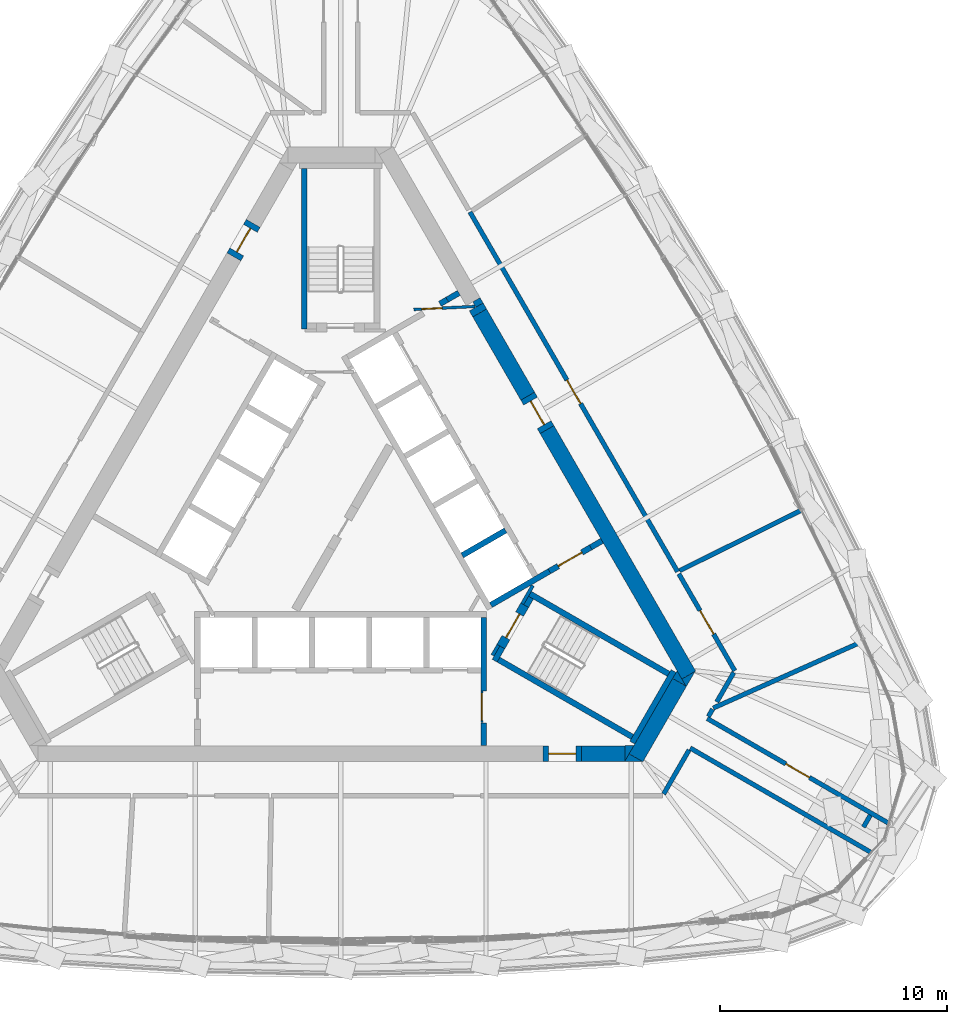
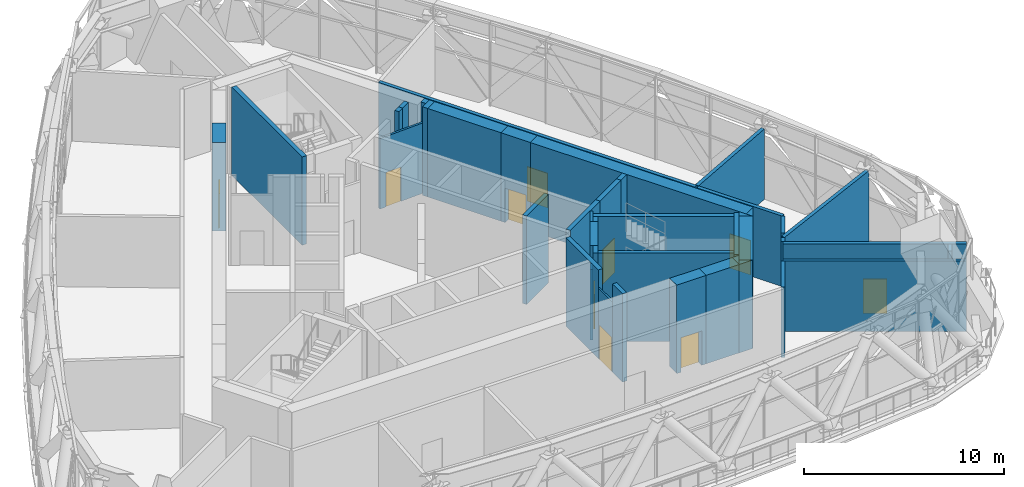
# One storey, part 22 of 33: 42 walls, 10 doors, 10 openings.
"""IFC4 building model written with IfcOpenShell, lengths in metres."""

from ifc_helpers import new_model, si_unit, direction, frame, frame_2d, origin, place, context, subcontext, project, spatial, polyline, rectangle, outline, extrude, material, layer, layer_set, type_object, element, fill, save


model = new_model("IFC4")

# Units and contexts
model_context = context("Model", 3, precision=1e-05, world=origin(), true_north=direction((0.0, 1.0)))
body_context = subcontext(model_context, "Body", "Model", "MODEL_VIEW")
ifc_project = project(units=[si_unit("LENGTHUNIT", "METRE"), si_unit("AREAUNIT", "SQUARE_METRE"), si_unit("VOLUMEUNIT", "CUBIC_METRE"), si_unit("PLANEANGLEUNIT", "RADIAN"), si_unit("MASSUNIT", "GRAM", prefix="KILO")], contexts=[model_context])

# Site, building, storey
site_placement = place(None, origin())
site = spatial("IfcSite", under=ifc_project, at=site_placement, CompositionType="ELEMENT")
building_placement = place(site_placement, origin())
building = spatial("IfcBuilding", under=site, at=building_placement, Name="Mestral Congress Tower", CompositionType="ELEMENT")
storey_placement = place(building_placement, frame((0.0, 0.0, 256.199951171875)))
storey = spatial("IfcBuildingStorey", under=building, at=storey_placement, Name="L60", CompositionType="ELEMENT", Elevation=256.199951171875)

# Wall
ifc_material_1 = material(Name="Fire-rated board partition")
ifc_layer_1 = layer(ifc_material_1, 0.14990234375)
ifc_layer_set_1 = layer_set([ifc_layer_1], Name="Fire-rated board partition")
wall_type_1 = type_object("IfcWallType", Name="Core partition 150", PredefinedType="PARTITIONING", material=ifc_layer_set_1)
wall_1_placement = place(storey_placement, frame((6.94482421875, -5.22216796875, 0.0), z_axis=(0.0, 0.0, 1.0), x_axis=(-0.499818422106, -0.866130212453, 0.0)))
element("IfcWall", 1, at=wall_1_placement, inside=storey, type_object=wall_type_1, Name="L60 core wall", PredefinedType="PARTITIONING", context=body_context, shape_type="SweptSolid", body=[
    extrude(rectangle(XDim=0.513916015625, YDim=0.14990234375, at=frame_2d((0.2568359375, 0.0))), origin(), (0.0, 0.0, 1.0), 4.300048828125),
])

# Wall, opening, door
ifc_layer_2 = layer(ifc_material_1, 0.1201171875)
ifc_layer_set_2 = layer_set([ifc_layer_2], Name="Fire-rated board partition")
wall_type_2 = type_object("IfcWallType", Name="Core partition 150 door-wall 120", PredefinedType="PARTITIONING", material=ifc_layer_set_2)
wall_2_placement = place(storey_placement, frame((5.917236328125, 9.684326171875, 0.0), z_axis=(0.0, 0.0, 1.0), x_axis=(-0.998758194515, -0.049820366212, 0.0)))
wall_2 = element("IfcWall", 2, at=wall_2_placement, inside=storey, type_object=wall_type_2, Name="L60 door wall", PredefinedType="PARTITIONING", context=body_context, shape_type="SweptSolid", body=[
    extrude(rectangle(XDim=2.7001953125, YDim=0.119873046875, at=frame_2d((1.35009765625, 0.0))), origin(), (0.0, 0.0, 1.0), 4.300048828125),
])
opening_1_placement = place(wall_2_placement, frame((1.449951171875, 0.0, 0.0)))
opening_1 = element("IfcOpeningElement", 3, at=opening_1_placement, cuts=wall_2, Name="Opening TD2", PredefinedType="OPENING", context=body_context, shape_type="SweptSolid", body=[
    extrude(rectangle(XDim=0.89990234375, YDim=2.10009765625, at=frame_2d((0.449951171875, 1.050048828125))), frame((0.0, 0.06982421875, 0.0), z_axis=(0.0, -1.0, 0.0), x_axis=(1.0, 0.0, 0.0)), (0.0, 0.0, 1.0), 0.139892578125),
])
ifc_material_2 = material(Name="Fire-rated steel door set", Category="steel")
door_type_1 = type_object("IfcDoorType", Name="Core door SR 900x2100", OperationType="SINGLE_SWING_LEFT", PredefinedType="DOOR", material=ifc_material_2)
door_1_placement = place(opening_1_placement, origin())
door_1 = element("IfcDoor", 4, at=door_1_placement, inside=storey, type_object=door_type_1, Name="Door TD2", OperationType="SINGLE_SWING_LEFT", OverallHeight=2.10009765625, OverallWidth=0.89990234375, PredefinedType="DOOR", context=body_context, shape_type="SweptSolid", body=[
    extrude(rectangle(XDim=0.89990234375, YDim=2.10009765625, at=frame_2d((0.449951171875, 1.050048828125))), frame((0.0, 0.02490234375, 0.0), z_axis=(0.0, -1.0, 0.0), x_axis=(1.0, 0.0, 0.0)), (0.0, 0.0, 1.0), 0.050048828125),
])
fill(opening_1, door_1)

ifc_layer_3 = layer(ifc_material_1, 0.090087890625)
ifc_layer_set_3 = layer_set([ifc_layer_3], Name="Fire-rated board partition")
wall_type_3 = type_object("IfcWallType", Name="Core partition 150 door-wall 90", PredefinedType="PARTITIONING", material=ifc_layer_set_3)
wall_3_placement = place(storey_placement, frame((6.219970703125, -7.23681640625, 0.0), z_axis=(0.0, 0.0, 1.0), x_axis=(0.0, -1.0, 0.0)))
wall_3 = element("IfcWall", 5, at=wall_3_placement, inside=storey, type_object=wall_type_3, Name="L60 door wall", PredefinedType="PARTITIONING", context=body_context, shape_type="SweptSolid", body=[
    extrude(rectangle(XDim=1.400146484375, YDim=0.090087890625, at=frame_2d((0.7001953125, 0.0))), origin(), (0.0, 0.0, 1.0), 4.300048828125),
])
opening_2_placement = place(wall_3_placement, frame((0.10009765625, 0.0, 0.0)))
opening_2 = element("IfcOpeningElement", 6, at=opening_2_placement, cuts=wall_3, Name="Opening LB0-WL1", PredefinedType="OPENING", context=body_context, shape_type="SweptSolid", body=[
    extrude(rectangle(XDim=1.199951171875, YDim=2.10009765625, at=frame_2d((0.60009765625, 1.050048828125))), frame((0.0, 0.054931640625, 0.0), z_axis=(0.0, -1.0, 0.0), x_axis=(1.0, 0.0, 0.0)), (0.0, 0.0, 1.0), 0.110107421875),
])
door_type_2 = type_object("IfcDoorType", Name="Core door LB 1200x2100", OperationType="SINGLE_SWING_LEFT", PredefinedType="DOOR", material=ifc_material_2)
door_2_placement = place(opening_2_placement, origin())
door_2 = element("IfcDoor", 7, at=door_2_placement, inside=storey, type_object=door_type_2, Name="Door LB0-WL1", OperationType="SINGLE_SWING_LEFT", OverallHeight=2.10009765625, OverallWidth=1.199951171875, PredefinedType="DOOR", context=body_context, shape_type="SweptSolid", body=[
    extrude(rectangle(XDim=1.199951171875, YDim=2.10009765625, at=frame_2d((0.60009765625, 1.050048828125))), frame((0.0, 0.02490234375, 0.0), z_axis=(0.0, -1.0, 0.0), x_axis=(1.0, 0.0, 0.0)), (0.0, 0.0, 1.0), 0.050048828125),
])
fill(opening_2, door_2)

# Walls
ifc_material_3 = material(Name="Concrete C60/75", Category="concrete")
ifc_layer_4 = layer(ifc_material_3, 0.699951171875)
ifc_layer_set_4 = layer_set([ifc_layer_4], Name="Concrete C60/75")
wall_type_4 = type_object("IfcWallType", Name="Core wall RC 700", PredefinedType="SOLIDWALL", material=ifc_layer_set_4)
wall_4_placement = place(storey_placement, frame((9.085205078125, 4.263916015625, 0.0), z_axis=(0.0, 0.0, 1.0), x_axis=(0.499998082512, -0.866026510844, 0.0)))
element("IfcWall", 8, at=wall_4_placement, inside=storey, type_object=wall_type_4, Name="L60 core wall", PredefinedType="SOLIDWALL", context=body_context, shape_type="SweptSolid", body=[
    extrude(rectangle(XDim=12.47216796875, YDim=0.699951171875, at=frame_2d((6.236083984375, 0.0))), origin(), (0.0, 0.0, 1.0), 5.400146484375),
])
placement = place(storey_placement, origin())
element("IfcWall", 9, at=placement, inside=storey, type_object=wall_type_4, Name="L60 core wall", PredefinedType="SOLIDWALL", context=body_context, shape_type="SweptSolid", body=[
    extrude(outline(polyline([(15.213134765625, -7.050048828125), (15.019287109375, -6.714111328125), (15.60107421875, -6.3779296875), (15.213134765625, -7.050048828125)])), origin(), (0.0, 0.0, 1.0), 5.400146484375),
])
wall_6_placement = place(storey_placement, frame((13.002685546875, -10.1787109375, 0.0), z_axis=(0.0, 0.0, 1.0), x_axis=(0.499972675833, 0.866041178825, 0.0)))
element("IfcWall", 10, at=wall_6_placement, inside=storey, type_object=wall_type_4, Name="L60 core wall", PredefinedType="SOLIDWALL", context=body_context, shape_type="SweptSolid", body=[
    extrude(rectangle(XDim=3.828857421875, YDim=0.699951171875, at=frame_2d((1.91455078125, 0.0))), origin(), (0.0, 0.0, 1.0), 5.400146484375),
])
element("IfcWall", 11, at=placement, inside=storey, type_object=wall_type_4, Name="L60 core wall", PredefinedType="SOLIDWALL", context=body_context, shape_type="SweptSolid", body=[
    extrude(outline(polyline([(12.698486328125, -10.00537109375), (13.295654296875, -10.35009765625), (12.49951171875, -10.35009765625), (12.698486328125, -10.00537109375)])), origin(), (0.0, 0.0, 1.0), 5.400146484375),
])
element("IfcWall", 12, at=placement, inside=storey, type_object=wall_type_4, Name="L60 core wall", PredefinedType="SOLIDWALL", context=body_context, shape_type="SweptSolid", body=[
    extrude(outline(polyline([(14.80908203125, -6.35009765625), (15.197265625, -7.022216796875), (14.614990234375, -6.68603515625), (14.80908203125, -6.35009765625)])), origin(), (0.0, 0.0, 1.0), 5.400146484375),
])
wall_9_placement = place(storey_placement, frame((10.6044921875, -10.0, 0.0), z_axis=(0.0, 0.0, 1.0), x_axis=(1.0, 0.0, 0.0)))
element("IfcWall", 13, at=wall_9_placement, inside=storey, type_object=wall_type_4, Name="L60 core wall", PredefinedType="SOLIDWALL", context=body_context, shape_type="SweptSolid", body=[
    extrude(rectangle(XDim=1.909423828125, YDim=0.699951171875, at=frame_2d((0.95458984375, 0.0))), origin(), (0.0, 0.0, 1.0), 5.400146484375),
])
element("IfcWall", 14, at=placement, inside=storey, type_object=wall_type_4, Name="L60 core wall", PredefinedType="SOLIDWALL", context=body_context, shape_type="SweptSolid", body=[
    extrude(outline(polyline([(12.90380859375, -9.64990234375), (12.515869140625, -10.322021484375), (12.515869140625, -9.64990234375), (12.90380859375, -9.64990234375)])), origin(), (0.0, 0.0, 1.0), 5.400146484375),
])
wall_11_placement = place(storey_placement, frame((6.1201171875, 9.3994140625, 0.0), z_axis=(0.0, 0.0, 1.0), x_axis=(-0.499792463624, 0.866145191815, 0.0)))
element("IfcWall", 15, at=wall_11_placement, inside=storey, type_object=wall_type_4, Name="L60 core wall", PredefinedType="SOLIDWALL", context=body_context, shape_type="SweptSolid", body=[
    extrude(rectangle(XDim=0.302001953125, YDim=0.699951171875, at=frame_2d((0.15087890625, 0.0))), origin(), (0.0, 0.0, 1.0), 5.400146484375),
])
element("IfcWall", 16, at=placement, inside=storey, type_object=wall_type_4, Name="L60 core wall", PredefinedType="SOLIDWALL", context=body_context, shape_type="SweptSolid", body=[
    extrude(outline(polyline([(6.13720703125, 10.06982421875), (6.271240234375, 9.837646484375), (5.952392578125, 9.65380859375), (5.818603515625, 9.8857421875), (6.13720703125, 10.06982421875)])), origin(), (0.0, 0.0, 1.0), 5.400146484375),
])
wall_13_placement = place(storey_placement, frame((6.12109375, 9.397705078125, 0.0), z_axis=(0.0, 0.0, 1.0), x_axis=(0.499995697976, -0.866027887545, 0.0)))
element("IfcWall", 17, at=wall_13_placement, inside=storey, type_object=wall_type_4, Name="L60 core wall", PredefinedType="SOLIDWALL", context=body_context, shape_type="SweptSolid", body=[
    extrude(rectangle(XDim=4.22802734375, YDim=0.699951171875, at=frame_2d((2.114013671875, 0.0))), origin(), (0.0, 0.0, 1.0), 5.400146484375),
])

# Wall, opening, door
wall_14_placement = place(storey_placement, frame((10.6044921875, -10.0, 0.0), z_axis=(0.0, 0.0, 1.0), x_axis=(-1.0, 0.0, 0.0)))
wall_14 = element("IfcWall", 18, at=wall_14_placement, inside=storey, type_object=wall_type_4, Name="L60 door wall", PredefinedType="SOLIDWALL", context=body_context, shape_type="SweptSolid", body=[
    extrude(rectangle(XDim=1.699951171875, YDim=0.699951171875, at=frame_2d((0.85009765625, 0.0))), origin(), (0.0, 0.0, 1.0), 5.400146484375),
])
opening_3_placement = place(wall_14_placement, frame((0.25, 0.0, 0.0)))
opening_3 = element("IfcOpeningElement", 19, at=opening_3_placement, cuts=wall_14, Name="Opening XD1", PredefinedType="OPENING", context=body_context, shape_type="SweptSolid", body=[
    extrude(rectangle(XDim=1.199951171875, YDim=2.10009765625, at=frame_2d((0.60009765625, 1.050048828125))), frame((0.0, 0.35986328125, 0.0), z_axis=(0.0, -1.0, 0.0), x_axis=(1.0, 0.0, 0.0)), (0.0, 0.0, 1.0), 0.719970703125),
])
door_type_3 = type_object("IfcDoorType", Name="Core door XD 1200x2100", OperationType="SINGLE_SWING_LEFT", PredefinedType="DOOR", material=ifc_material_2)
door_3_placement = place(opening_3_placement, origin())
door_3 = element("IfcDoor", 20, at=door_3_placement, inside=storey, type_object=door_type_3, Name="Door XD1", OperationType="SINGLE_SWING_LEFT", OverallHeight=2.10009765625, OverallWidth=1.199951171875, PredefinedType="DOOR", context=body_context, shape_type="SweptSolid", body=[
    extrude(rectangle(XDim=1.199951171875, YDim=2.10009765625, at=frame_2d((0.60009765625, 1.050048828125))), frame((0.0, 0.02490234375, 0.0), z_axis=(0.0, -1.0, 0.0), x_axis=(1.0, 0.0, 0.0)), (0.0, 0.0, 1.0), 0.050048828125),
])
fill(opening_3, door_3)

wall_15_placement = place(storey_placement, frame((-4.695556640625, 11.866943359375, 0.0), z_axis=(0.0, 0.0, 1.0), x_axis=(0.499892348375, 0.866087547558, 0.0)))
wall_15 = element("IfcWall", 21, at=wall_15_placement, inside=storey, type_object=wall_type_4, Name="L60 door wall", PredefinedType="SOLIDWALL", context=body_context, shape_type="SweptSolid", body=[
    extrude(rectangle(XDim=1.699951171875, YDim=0.699951171875, at=frame_2d((0.85009765625, 0.0))), origin(), (0.0, 0.0, 1.0), 5.400146484375),
])
opening_4_placement = place(wall_15_placement, frame((0.25, 0.0, 0.0)))
opening_4 = element("IfcOpeningElement", 22, at=opening_4_placement, cuts=wall_15, Name="Opening XD2", PredefinedType="OPENING", context=body_context, shape_type="SweptSolid", body=[
    extrude(rectangle(XDim=1.199951171875, YDim=2.10009765625, at=frame_2d((0.60009765625, 1.050048828125))), frame((0.0, 0.35986328125, 0.0), z_axis=(0.0, -1.0, 0.0), x_axis=(1.0, 0.0, 0.0)), (0.0, 0.0, 1.0), 0.719970703125),
])
door_4_placement = place(opening_4_placement, origin())
door_4 = element("IfcDoor", 23, at=door_4_placement, inside=storey, type_object=door_type_3, Name="Door XD2", OperationType="SINGLE_SWING_LEFT", OverallHeight=2.10009765625, OverallWidth=1.199951171875, PredefinedType="DOOR", context=body_context, shape_type="SweptSolid", body=[
    extrude(rectangle(XDim=1.199951171875, YDim=2.10009765625, at=frame_2d((0.60009765625, 1.050048828125))), frame((0.0, 0.02490234375, 0.0), z_axis=(0.0, -1.0, 0.0), x_axis=(1.0, 0.0, 0.0)), (0.0, 0.0, 1.0), 0.050048828125),
])
fill(opening_4, door_4)

wall_16_placement = place(storey_placement, frame((8.2353515625, 5.736083984375, 0.0), z_axis=(0.0, 0.0, 1.0), x_axis=(0.499954529098, -0.86605165483, 0.0)))
wall_16 = element("IfcWall", 24, at=wall_16_placement, inside=storey, type_object=wall_type_4, Name="L60 door wall", PredefinedType="SOLIDWALL", context=body_context, shape_type="SweptSolid", body=[
    extrude(rectangle(XDim=1.699951171875, YDim=0.699951171875, at=frame_2d((0.85009765625, 0.0))), origin(), (0.0, 0.0, 1.0), 5.400146484375),
])
opening_5_placement = place(wall_16_placement, frame((0.25, 0.0, 0.0)))
opening_5 = element("IfcOpeningElement", 25, at=opening_5_placement, cuts=wall_16, Name="Opening XDL", PredefinedType="OPENING", context=body_context, shape_type="SweptSolid", body=[
    extrude(rectangle(XDim=1.199951171875, YDim=2.10009765625, at=frame_2d((0.60009765625, 1.050048828125))), frame((0.0, 0.35986328125, 0.0), z_axis=(0.0, -1.0, 0.0), x_axis=(1.0, 0.0, 0.0)), (0.0, 0.0, 1.0), 0.719970703125),
])
door_5_placement = place(opening_5_placement, origin())
door_5 = element("IfcDoor", 26, at=door_5_placement, inside=storey, type_object=door_type_3, Name="Door XDL", OperationType="SINGLE_SWING_LEFT", OverallHeight=2.10009765625, OverallWidth=1.199951171875, PredefinedType="DOOR", context=body_context, shape_type="SweptSolid", body=[
    extrude(rectangle(XDim=1.199951171875, YDim=2.10009765625, at=frame_2d((0.60009765625, 1.050048828125))), frame((0.0, 0.02490234375, 0.0), z_axis=(0.0, -1.0, 0.0), x_axis=(1.0, 0.0, 0.0)), (0.0, 0.0, 1.0), 0.050048828125),
])
fill(opening_5, door_5)

# Walls
ifc_layer_5 = layer(ifc_material_3, 0.25)
ifc_layer_set_5 = layer_set([ifc_layer_5], Name="Concrete C60/75")
wall_type_5 = type_object("IfcWallType", Name="Shaft wall RC 250", PredefinedType="SOLIDWALL", material=ifc_layer_set_5)
wall_17_placement = place(storey_placement, frame((6.300048828125, -7.239990234375, 0.0), z_axis=(0.0, 0.0, 1.0), x_axis=(0.0, 1.0, 0.0)))
element("IfcWall", 27, at=wall_17_placement, inside=storey, type_object=wall_type_5, Name="L60 core wall", PredefinedType="SOLIDWALL", context=body_context, shape_type="SweptSolid", body=[
    extrude(rectangle(XDim=3.239990234375, YDim=0.25, at=frame_2d((1.6201171875, 0.0))), origin(), (0.0, 0.0, 1.0), 5.400146484375),
])
wall_18_placement = place(storey_placement, frame((6.300048828125, -9.64990234375, 0.0), z_axis=(0.0, 0.0, 1.0), x_axis=(0.0, 1.0, 0.0)))
element("IfcWall", 28, at=wall_18_placement, inside=storey, type_object=wall_type_5, Name="L60 core wall", PredefinedType="SOLIDWALL", context=body_context, shape_type="SweptSolid", body=[
    extrude(rectangle(XDim=1.0078125, YDim=0.25, at=frame_2d((0.50390625, 0.0))), origin(), (0.0, 0.0, 1.0), 5.400146484375),
])
wall_19_placement = place(storey_placement, frame((11.507080078125, -0.631103515625, 0.0), z_axis=(0.0, 0.0, 1.0), x_axis=(-0.866093731455, -0.499881634324, 0.0)))
element("IfcWall", 29, at=wall_19_placement, inside=storey, type_object=wall_type_5, Name="L60 core wall", PredefinedType="SOLIDWALL", context=body_context, shape_type="SweptSolid", body=[
    extrude(rectangle(XDim=0.575439453125, YDim=0.25, at=frame_2d((0.28759765625, 0.0))), origin(), (0.0, 0.0, 1.0), 5.400146484375),
])
wall_20_placement = place(storey_placement, frame((5.35400390625, -1.273681640625, 0.0), z_axis=(0.0, 0.0, 1.0), x_axis=(0.866008176907, 0.50002983664, 0.0)))
element("IfcWall", 30, at=wall_20_placement, inside=storey, type_object=wall_type_5, Name="L60 core wall", PredefinedType="SOLIDWALL", context=body_context, shape_type="SweptSolid", body=[
    extrude(rectangle(XDim=2.199951171875, YDim=0.25, at=frame_2d((1.10009765625, 0.0))), origin(), (0.0, 0.0, 1.0), 5.400146484375),
])
wall_21_placement = place(storey_placement, frame((6.614013671875, -3.4560546875, 0.0), z_axis=(0.0, 0.0, 1.0), x_axis=(0.866032512851, 0.499987686533, 0.0)))
element("IfcWall", 31, at=wall_21_placement, inside=storey, type_object=wall_type_5, Name="L60 core wall", PredefinedType="SOLIDWALL", context=body_context, shape_type="SweptSolid", body=[
    extrude(rectangle(XDim=2.974609375, YDim=0.25, at=frame_2d((1.4873046875, 0.0))), origin(), (0.0, 0.0, 1.0), 5.400146484375),
])
wall_22_placement = place(storey_placement, frame((4.6875, 9.98095703125, 0.0), z_axis=(0.0, 0.0, 1.0), x_axis=(-0.865974312977, -0.500088481434, 0.0)))
element("IfcWall", 32, at=wall_22_placement, inside=storey, type_object=wall_type_5, Name="L60 core wall", PredefinedType="SOLIDWALL", context=body_context, shape_type="SweptSolid", body=[
    extrude(rectangle(XDim=0.36572265625, YDim=0.25, at=frame_2d((0.182861328125, 0.0))), origin(), (0.0, 0.0, 1.0), 5.400146484375),
])
wall_23_placement = place(storey_placement, frame((4.689208984375, 9.98193359375, 0.0), z_axis=(0.0, 0.0, 1.0), x_axis=(0.865947592822, 0.500134748329, 0.0)))
element("IfcWall", 33, at=wall_23_placement, inside=storey, type_object=wall_type_5, Name="L60 core wall", PredefinedType="SOLIDWALL", context=body_context, shape_type="SweptSolid", body=[
    extrude(rectangle(XDim=0.597900390625, YDim=0.25, at=frame_2d((0.298828125, 0.0))), origin(), (0.0, 0.0, 1.0), 5.400146484375),
])

# Wall, opening, door
wall_24_placement = place(storey_placement, frame((11.0087890625, -0.918701171875, 0.0), z_axis=(0.0, 0.0, 1.0), x_axis=(-0.866059744384, -0.49994051562, 0.0)))
wall_24 = element("IfcWall", 34, at=wall_24_placement, inside=storey, type_object=wall_type_5, Name="L60 door wall", PredefinedType="SOLIDWALL", context=body_context, shape_type="SweptSolid", body=[
    extrude(rectangle(XDim=2.099853515625, YDim=0.25, at=frame_2d((1.0498046875, 0.0))), origin(), (0.0, 0.0, 1.0), 5.400146484375),
])
opening_6_placement = place(wall_24_placement, frame((0.449951171875, 0.0, 0.0)))
opening_6 = element("IfcOpeningElement", 35, at=opening_6_placement, cuts=wall_24, Name="Opening LB1-PX10", PredefinedType="OPENING", context=body_context, shape_type="SweptSolid", body=[
    extrude(rectangle(XDim=1.199951171875, YDim=2.10009765625, at=frame_2d((0.60009765625, 1.050048828125))), frame((0.0, 0.135009765625, 0.0), z_axis=(0.0, -1.0, 0.0), x_axis=(1.0, 0.0, 0.0)), (0.0, 0.0, 1.0), 0.27001953125),
])
door_6_placement = place(opening_6_placement, origin())
door_6 = element("IfcDoor", 36, at=door_6_placement, inside=storey, type_object=door_type_2, Name="Door LB1-PX10", OperationType="SINGLE_SWING_LEFT", OverallHeight=2.10009765625, OverallWidth=1.199951171875, PredefinedType="DOOR", context=body_context, shape_type="SweptSolid", body=[
    extrude(rectangle(XDim=1.199951171875, YDim=2.10009765625, at=frame_2d((0.60009765625, 1.050048828125))), frame((0.0, 0.02490234375, 0.0), z_axis=(0.0, -1.0, 0.0), x_axis=(1.0, 0.0, 0.0)), (0.0, 0.0, 1.0), 0.050048828125),
])
fill(opening_6, door_6)

# Wall
ifc_layer_6 = layer(ifc_material_3, 0.14990234375)
ifc_layer_set_6 = layer_set([ifc_layer_6], Name="Concrete C60/75")
wall_type_6 = type_object("IfcWallType", Name="Shaft wall RC 250 door-wall 150", PredefinedType="SOLIDWALL", material=ifc_layer_set_6)
wall_25_placement = place(storey_placement, frame((8.459228515625, -2.59912109375, 0.0), z_axis=(0.0, 0.0, 1.0), x_axis=(-0.500041054325, -0.866001699761, 0.0)))
element("IfcWall", 37, at=wall_25_placement, inside=storey, type_object=wall_type_6, Name="L60 core wall", PredefinedType="PARTITIONING", context=body_context, shape_type="SweptSolid", body=[
    extrude(rectangle(XDim=0.9287109375, YDim=0.14990234375, at=frame_2d((0.46435546875, 0.0))), origin(), (0.0, 0.0, 1.0), 5.400146484375),
])

# Wall, opening, door
ifc_material_4 = material(Name="Concrete block wall, plastered", Category="concrete")
ifc_layer_7 = layer(ifc_material_4, 0.199951171875)
ifc_layer_set_7 = layer_set([ifc_layer_7], Name="Concrete block wall, plastered")
wall_type_7 = type_object("IfcWallType", Name="Special partition 200 EI 120", PredefinedType="PARTITIONING", material=ifc_layer_set_7)
wall_26_placement = place(storey_placement, frame((14.83251953125, -1.990478515625, 0.0), z_axis=(0.0, 0.0, 1.0), x_axis=(-0.500002996416, 0.866023673796, 0.0)))
wall_26 = element("IfcWall", 38, at=wall_26_placement, inside=storey, type_object=wall_type_7, Name="Partition", PredefinedType="PARTITIONING", context=body_context, shape_type="SweptSolid", body=[
    extrude(rectangle(XDim=18.2802734375, YDim=0.199951171875, at=frame_2d((9.14013671875, 0.0))), origin(), (0.0, 0.0, 1.0), 4.300048828125),
])
opening_7_placement = place(wall_26_placement, frame((8.5400390625, 0.0, 0.0)))
opening_7 = element("IfcOpeningElement", 39, at=opening_7_placement, cuts=wall_26, Name="Opening S60-007", PredefinedType="OPENING", context=body_context, shape_type="SweptSolid", body=[
    extrude(rectangle(XDim=1.199951171875, YDim=2.10009765625, at=frame_2d((0.60009765625, 1.050048828125))), frame((0.0, 0.10986328125, 0.0), z_axis=(0.0, -1.0, 0.0), x_axis=(1.0, 0.0, 0.0)), (0.0, 0.0, 1.0), 0.219970703125),
])
door_type_4 = type_object("IfcDoorType", Name="Refuge door 1200x2100", OperationType="SINGLE_SWING_LEFT", PredefinedType="DOOR", material=ifc_material_2)
door_7_placement = place(opening_7_placement, origin())
door_7 = element("IfcDoor", 40, at=door_7_placement, inside=storey, type_object=door_type_4, Name="Door S60-007", OperationType="SINGLE_SWING_RIGHT", OverallHeight=2.10009765625, OverallWidth=1.199951171875, PredefinedType="DOOR", context=body_context, shape_type="SweptSolid", body=[
    extrude(rectangle(XDim=1.199951171875, YDim=2.10009765625, at=frame_2d((0.60009765625, 1.050048828125))), frame((0.0, 0.02490234375, 0.0), z_axis=(0.0, -1.0, 0.0), x_axis=(1.0, 0.0, 0.0)), (0.0, 0.0, 1.0), 0.050048828125),
])
fill(opening_7, door_7)

# Wall
wall_27_placement = place(storey_placement, frame((23.343017578125, -14.343017578125, 0.0), z_axis=(0.0, 0.0, 1.0), x_axis=(-0.866028486751, 0.499994660107, 0.0)))
element("IfcWall", 41, at=wall_27_placement, inside=storey, type_object=wall_type_7, Name="Partition", PredefinedType="PARTITIONING", context=body_context, shape_type="SweptSolid", body=[
    extrude(rectangle(XDim=9.18701171875, YDim=0.199951171875, at=frame_2d((4.593505859375, 0.0))), origin(), (0.0, 0.0, 1.0), 4.300048828125),
])

# Wall, opening, door
wall_28_placement = place(storey_placement, frame((24.093017578125, -13.0439453125, 0.0), z_axis=(0.0, 0.0, 1.0), x_axis=(-0.866028486751, 0.499994660107, 0.0)))
wall_28 = element("IfcWall", 42, at=wall_28_placement, inside=storey, type_object=wall_type_7, Name="Partition", PredefinedType="PARTITIONING", context=body_context, shape_type="SweptSolid", body=[
    extrude(rectangle(XDim=9.18701171875, YDim=0.199951171875, at=frame_2d((4.593505859375, 0.0))), origin(), (0.0, 0.0, 1.0), 4.300048828125),
])
opening_8_placement = place(wall_28_placement, frame((3.993408203125, 0.0, 0.0)))
opening_8 = element("IfcOpeningElement", 43, at=opening_8_placement, cuts=wall_28, Name="Opening S60-005", PredefinedType="OPENING", context=body_context, shape_type="SweptSolid", body=[
    extrude(rectangle(XDim=1.199951171875, YDim=2.10009765625, at=frame_2d((0.60009765625, 1.050048828125))), frame((0.0, 0.10986328125, 0.0), z_axis=(0.0, -1.0, 0.0), x_axis=(1.0, 0.0, 0.0)), (0.0, 0.0, 1.0), 0.219970703125),
])
door_type_5 = type_object("IfcDoorType", Name="Plant room door 1200x2100", OperationType="SINGLE_SWING_LEFT", PredefinedType="DOOR", material=ifc_material_2)
door_8_placement = place(opening_8_placement, origin())
door_8 = element("IfcDoor", 44, at=door_8_placement, inside=storey, type_object=door_type_5, Name="Door S60-005", OperationType="SINGLE_SWING_RIGHT", OverallHeight=2.10009765625, OverallWidth=1.199951171875, PredefinedType="DOOR", context=body_context, shape_type="SweptSolid", body=[
    extrude(rectangle(XDim=1.199951171875, YDim=2.10009765625, at=frame_2d((0.60009765625, 1.050048828125))), frame((0.0, 0.02490234375, 0.0), z_axis=(0.0, -1.0, 0.0), x_axis=(1.0, 0.0, 0.0)), (0.0, 0.0, 1.0), 0.050048828125),
])
fill(opening_8, door_8)

# Walls
wall_29_placement = place(storey_placement, frame((16.402099609375, -7.99072265625, 0.0), z_axis=(0.0, 0.0, 1.0), x_axis=(0.913168751413, 0.407581686834, 0.0)))
element("IfcWall", 45, at=wall_29_placement, inside=storey, type_object=wall_type_7, Name="Partition", PredefinedType="PARTITIONING", context=body_context, shape_type="SweptSolid", body=[
    extrude(rectangle(XDim=7.20166015625, YDim=0.199951171875, at=frame_2d((3.600830078125, 0.0))), origin(), (0.0, 0.0, 1.0), 4.300048828125),
])
wall_30_placement = place(storey_placement, frame((14.921875, -1.94580078125, 0.0), z_axis=(0.0, 0.0, 1.0), x_axis=(0.895456612303, 0.445148801507, 0.0)))
element("IfcWall", 46, at=wall_30_placement, inside=storey, type_object=wall_type_7, Name="Partition", PredefinedType="PARTITIONING", context=body_context, shape_type="SweptSolid", body=[
    extrude(rectangle(XDim=5.962646484375, YDim=0.199951171875, at=frame_2d((2.9814453125, 0.0))), origin(), (0.0, 0.0, 1.0), 4.300048828125),
])

# Wall, opening, door
wall_31_placement = place(storey_placement, frame((17.349365234375, -6.35009765625, 0.0), z_axis=(0.0, 0.0, 1.0), x_axis=(-0.499994255055, 0.866028720605, 0.0)))
wall_31 = element("IfcWall", 47, at=wall_31_placement, inside=storey, type_object=wall_type_7, Name="Partition", PredefinedType="PARTITIONING", context=body_context, shape_type="SweptSolid", body=[
    extrude(rectangle(XDim=4.92431640625, YDim=0.199951171875, at=frame_2d((2.462158203125, 0.0))), origin(), (0.0, 0.0, 1.0), 4.300048828125),
])
opening_9_placement = place(wall_31_placement, frame((1.8623046875, 0.0, 0.0)))
opening_9 = element("IfcOpeningElement", 48, at=opening_9_placement, cuts=wall_31, Name="Opening S60-006", PredefinedType="OPENING", context=body_context, shape_type="SweptSolid", body=[
    extrude(rectangle(XDim=1.199951171875, YDim=2.10009765625, at=frame_2d((0.60009765625, 1.050048828125))), frame((0.0, 0.10986328125, 0.0), z_axis=(0.0, -1.0, 0.0), x_axis=(1.0, 0.0, 0.0)), (0.0, 0.0, 1.0), 0.219970703125),
])
door_9_placement = place(opening_9_placement, origin())
door_9 = element("IfcDoor", 49, at=door_9_placement, inside=storey, type_object=door_type_5, Name="Door S60-006", OperationType="SINGLE_SWING_RIGHT", OverallHeight=2.10009765625, OverallWidth=1.199951171875, PredefinedType="DOOR", context=body_context, shape_type="SweptSolid", body=[
    extrude(rectangle(XDim=1.199951171875, YDim=2.10009765625, at=frame_2d((0.60009765625, 1.050048828125))), frame((0.0, 0.02490234375, 0.0), z_axis=(0.0, -1.0, 0.0), x_axis=(1.0, 0.0, 0.0)), (0.0, 0.0, 1.0), 0.050048828125),
])
fill(opening_9, door_9)

# Walls
wall_32_placement = place(storey_placement, frame((15.336669921875, -9.836181640625, 0.0), z_axis=(0.0, 0.0, 1.0), x_axis=(-0.499968249168, -0.86604373436, 0.0)))
element("IfcWall", 50, at=wall_32_placement, inside=storey, type_object=wall_type_7, Name="Partition", PredefinedType="PARTITIONING", context=body_context, shape_type="SweptSolid", body=[
    extrude(rectangle(XDim=2.235595703125, YDim=0.199951171875, at=frame_2d((1.11767578125, 0.0))), origin(), (0.0, 0.0, 1.0), 4.300048828125),
])
wall_33_placement = place(storey_placement, frame((17.304443359375, -6.427978515625, 0.0), z_axis=(0.0, 0.0, 1.0), x_axis=(-0.500108879088, -0.865962533287, 0.0)))
element("IfcWall", 51, at=wall_33_placement, inside=storey, type_object=wall_type_7, Name="Partition", PredefinedType="PARTITIONING", context=body_context, shape_type="SweptSolid", body=[
    extrude(rectangle(XDim=1.494873046875, YDim=0.199951171875, at=frame_2d((0.74755859375, 0.0))), origin(), (0.0, 0.0, 1.0), 4.300048828125),
])
wall_34_placement = place(storey_placement, frame((23.313232421875, -12.709228515625, 0.0), z_axis=(0.0, 0.0, 1.0), x_axis=(-0.500014506688, -0.866017028182, 0.0)))
element("IfcWall", 52, at=wall_34_placement, inside=storey, type_object=wall_type_7, Name="Partition", PredefinedType="PARTITIONING", context=body_context, shape_type="SweptSolid", body=[
    extrude(rectangle(XDim=0.60302734375, YDim=0.199951171875, at=frame_2d((0.301513671875, 0.0))), origin(), (0.0, 0.0, 1.0), 4.300048828125),
])
wall_35_placement = place(storey_placement, frame((16.372314453125, -8.04248046875, 0.0), z_axis=(0.0, 0.0, 1.0), x_axis=(-0.499817339582, -0.866130837145, 0.0)))
element("IfcWall", 53, at=wall_35_placement, inside=storey, type_object=wall_type_7, Name="Partition", PredefinedType="PARTITIONING", context=body_context, shape_type="SweptSolid", body=[
    extrude(rectangle(XDim=0.371337890625, YDim=0.199951171875, at=frame_2d((0.185546875, 0.0))), origin(), (0.0, 0.0, 1.0), 4.300048828125),
])
ifc_layer_8 = layer(ifc_material_3, 0.25)
ifc_layer_set_8 = layer_set([ifc_layer_8], Name="Concrete C60/75")
wall_type_8 = type_object("IfcWallType", Name="Stair wall RC 250", PredefinedType="SOLIDWALL", material=ifc_layer_set_8)
wall_36_placement = place(storey_placement, frame((12.839599609375, -9.510986328125, 0.0), z_axis=(0.0, 0.0, 1.0), x_axis=(0.500048121057, 0.865997619297, 0.0)))
element("IfcWall", 54, at=wall_36_placement, inside=storey, type_object=wall_type_8, Name="L60 core wall", PredefinedType="SOLIDWALL", context=body_context, shape_type="SweptSolid", body=[
    extrude(rectangle(XDim=3.634033203125, YDim=0.25, at=frame_2d((1.81689453125, 0.0))), origin(), (0.0, 0.0, 1.0), 5.400146484375),
])
wall_37_placement = place(storey_placement, frame((12.83984375, -9.2607421875, 0.0), z_axis=(0.0, 0.0, 1.0), x_axis=(-0.866013990052, 0.500019768644, 0.0)))
element("IfcWall", 55, at=wall_37_placement, inside=storey, type_object=wall_type_8, Name="L60 core wall", PredefinedType="SOLIDWALL", context=body_context, shape_type="SweptSolid", body=[
    extrude(rectangle(XDim=6.800048828125, YDim=0.25, at=frame_2d((3.39990234375, 0.0))), origin(), (0.0, 0.0, 1.0), 5.400146484375),
])
wall_38_placement = place(storey_placement, frame((6.780029296875, -5.906494140625, 0.0), z_axis=(0.0, 0.0, 1.0), x_axis=(0.500223362819, 0.865896406789, 0.0)))
element("IfcWall", 56, at=wall_38_placement, inside=storey, type_object=wall_type_8, Name="L60 core wall", PredefinedType="SOLIDWALL", context=body_context, shape_type="SweptSolid", body=[
    extrude(rectangle(XDim=0.675048828125, YDim=0.25, at=frame_2d((0.33740234375, 0.0))), origin(), (0.0, 0.0, 1.0), 5.400146484375),
])
wall_39_placement = place(storey_placement, frame((8.33447265625, -2.96435546875, 0.0), z_axis=(0.0, 0.0, 1.0), x_axis=(0.866016039709, -0.500016218704, 0.0)))
element("IfcWall", 57, at=wall_39_placement, inside=storey, type_object=wall_type_8, Name="L60 core wall", PredefinedType="SOLIDWALL", context=body_context, shape_type="SweptSolid", body=[
    extrude(rectangle(XDim=7.050048828125, YDim=0.25, at=frame_2d((3.52490234375, 0.0))), origin(), (0.0, 0.0, 1.0), 5.400146484375),
])
wall_40_placement = place(storey_placement, frame((8.167724609375, -3.503173828125, 0.0), z_axis=(0.0, 0.0, 1.0), x_axis=(0.49972245349, 0.866185586049, 0.0)))
element("IfcWall", 58, at=wall_40_placement, inside=storey, type_object=wall_type_8, Name="L60 core wall", PredefinedType="SOLIDWALL", context=body_context, shape_type="SweptSolid", body=[
    extrude(rectangle(XDim=0.425048828125, YDim=0.25, at=frame_2d((0.21240234375, 0.0))), origin(), (0.0, 0.0, 1.0), 5.400146484375),
])
wall_41_placement = place(storey_placement, frame((-1.60009765625, 8.699951171875, 0.0), z_axis=(0.0, 0.0, 1.0), x_axis=(0.0, 1.0, 0.0)))
element("IfcWall", 59, at=wall_41_placement, inside=storey, type_object=wall_type_8, Name="L60 core wall", PredefinedType="SOLIDWALL", context=body_context, shape_type="SweptSolid", body=[
    extrude(rectangle(XDim=7.050048828125, YDim=0.25, at=frame_2d((3.52490234375, 0.0))), origin(), (0.0, 0.0, 1.0), 5.400146484375),
])

# Wall, opening, door
ifc_layer_9 = layer(ifc_material_3, 0.39990234375)
ifc_layer_set_9 = layer_set([ifc_layer_9], Name="Concrete C60/75")
wall_type_9 = type_object("IfcWallType", Name="Stair wall RC 250 door-wall 400", PredefinedType="SOLIDWALL", material=ifc_layer_set_9)
wall_42_placement = place(storey_placement, frame((7.052734375, -5.2841796875, 0.0), z_axis=(0.0, 0.0, 1.0), x_axis=(0.500078061341, 0.865980330357, 0.0)))
wall_42 = element("IfcWall", 60, at=wall_42_placement, inside=storey, type_object=wall_type_9, Name="L60 door wall", PredefinedType="SOLIDWALL", context=body_context, shape_type="SweptSolid", body=[
    extrude(rectangle(XDim=2.099853515625, YDim=0.39990234375, at=frame_2d((1.0498046875, 0.0))), origin(), (0.0, 0.0, 1.0), 5.400146484375),
])
opening_10_placement = place(wall_42_placement, frame((0.449951171875, 0.0, 0.0)))
opening_10 = element("IfcOpeningElement", 61, at=opening_10_placement, cuts=wall_42, Name="Opening ST-D1", PredefinedType="OPENING", context=body_context, shape_type="SweptSolid", body=[
    extrude(rectangle(XDim=1.199951171875, YDim=2.10009765625, at=frame_2d((0.60009765625, 1.050048828125))), frame((0.0, 0.2099609375, 0.0), z_axis=(0.0, -1.0, 0.0), x_axis=(1.0, 0.0, 0.0)), (0.0, 0.0, 1.0), 0.419921875),
])
door_type_6 = type_object("IfcDoorType", Name="Core door ST 1200x2100", OperationType="SINGLE_SWING_LEFT", PredefinedType="DOOR", material=ifc_material_2)
door_10_placement = place(opening_10_placement, origin())
door_10 = element("IfcDoor", 62, at=door_10_placement, inside=storey, type_object=door_type_6, Name="Door ST-D1", OperationType="SINGLE_SWING_LEFT", OverallHeight=2.10009765625, OverallWidth=1.199951171875, PredefinedType="DOOR", context=body_context, shape_type="SweptSolid", body=[
    extrude(rectangle(XDim=1.199951171875, YDim=2.10009765625, at=frame_2d((0.60009765625, 1.050048828125))), frame((0.0, 0.02490234375, 0.0), z_axis=(0.0, -1.0, 0.0), x_axis=(1.0, 0.0, 0.0)), (0.0, 0.0, 1.0), 0.050048828125),
])
fill(opening_10, door_10)

save(model, "model.ifc")
